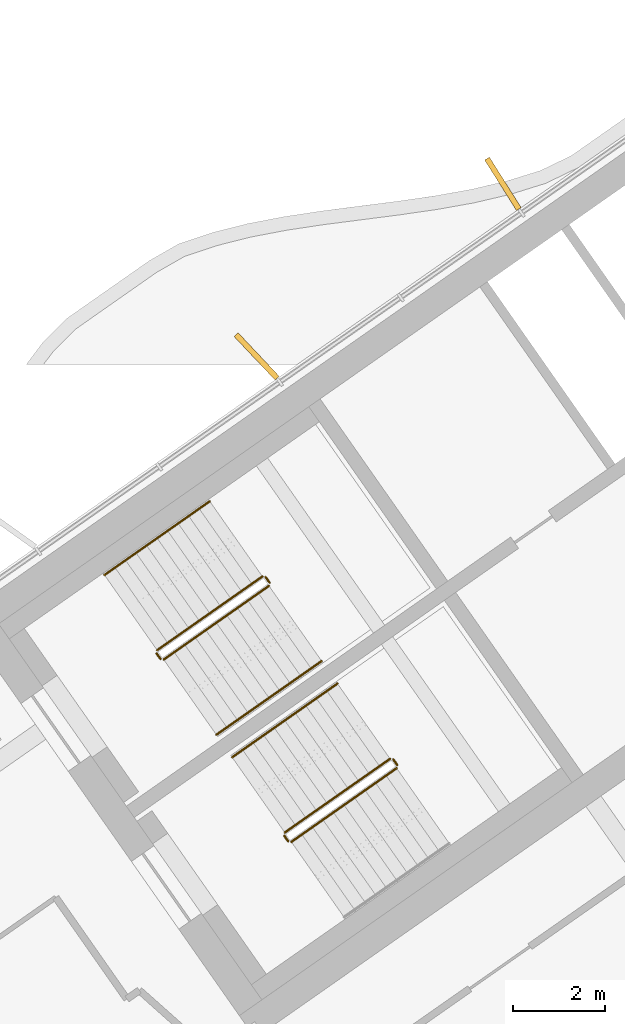
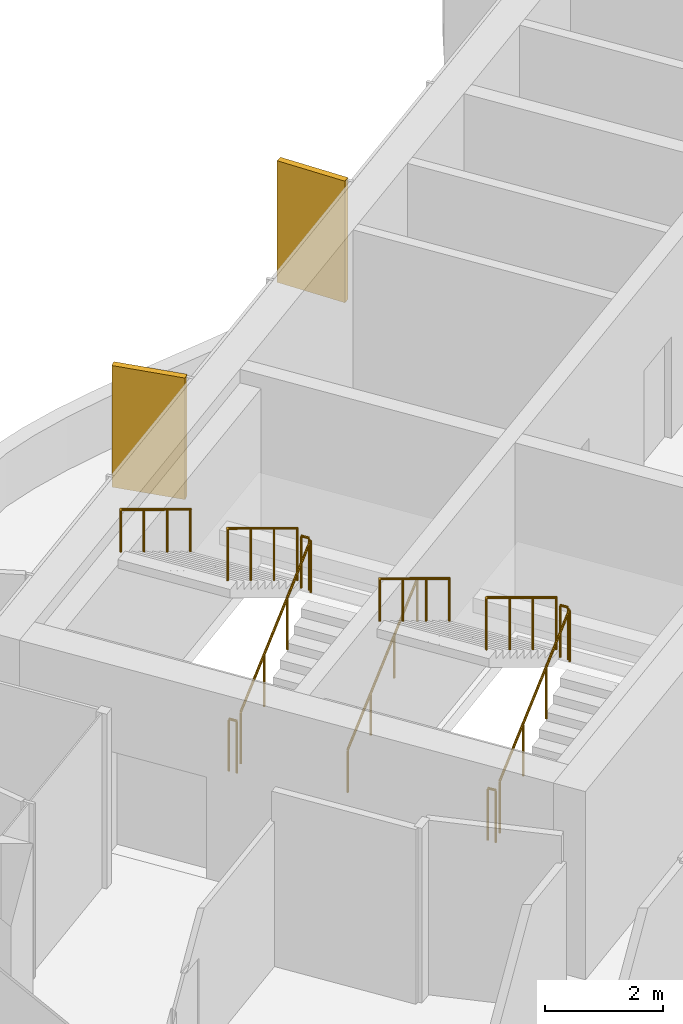
# One storey, part 15 of 18: 11 railings, 2 shading devices.
"""IFC4 building model written with IfcOpenShell, lengths in metres."""

from ifc_helpers import new_model, si_unit, direction, frame, origin, origin_2d, place, context, subcontext, project, spatial, rectangle, circle, extrude, material, layer, layer_set, type_object, element, save


model = new_model("IFC4")

# Units and contexts
model_context = context("Model", 3, precision=1e-05, world=origin(), true_north=direction((0.0, 1.0)))
body_context = subcontext(model_context, "Body", "Model", "MODEL_VIEW")
ifc_project = project(units=[si_unit("LENGTHUNIT", "METRE"), si_unit("AREAUNIT", "SQUARE_METRE"), si_unit("VOLUMEUNIT", "CUBIC_METRE"), si_unit("PLANEANGLEUNIT", "RADIAN"), si_unit("MASSUNIT", "GRAM", prefix="KILO")], contexts=[model_context])

# Site, building, storey
site_placement = place(None, origin())
site = spatial("IfcSite", under=ifc_project, at=site_placement, CompositionType="ELEMENT")
building_placement = place(site_placement, origin())
building = spatial("IfcBuilding", under=site, at=building_placement, Name="Tel Ilan Convention Tower", CompositionType="ELEMENT")
storey_placement = place(building_placement, frame((0.0, 0.0, 256.60009765625)))
storey = spatial("IfcBuildingStorey", under=building, at=storey_placement, Name="L60", CompositionType="ELEMENT", Elevation=256.60009765625)

# Shading devices
ifc_material_1 = material(Name="Aluminium, bronze anodised", Category="aluminium")
ifc_layer = layer(ifc_material_1, 0.1201171875)
ifc_layer_set = layer_set([ifc_layer], Name="FIN BRONZE 1300x120")
shading_device_type = type_object("IfcShadingDeviceType", Name="FIN BRONZE 1300x120", PredefinedType="USERDEFINED", material=ifc_layer_set)
for number, where, z_axis, x_axis, name in (
    (1, (-16.143798828125, 2.309814453125, 1.099853515625), (0.0, 0.0, 1.0), (-0.533204432798, 0.845986425922, 0.0), "FIN"),
    (2, (-21.51171875, -1.449462890625, 1.099853515625), (0.0, 0.0, 1.0), (-0.686241637865, 0.727373641577, 0.0), "FIN"),
):
    element("IfcShadingDevice", number, at=place(storey_placement, frame(where, z_axis=z_axis, x_axis=x_axis)), inside=storey, type_object=shading_device_type, Name=name, ObjectType="FIN", PredefinedType="USERDEFINED", context=body_context, shape_type="SweptSolid", body=[
        extrude(rectangle(XDim=1.300048828125, YDim=0.1201171875, at=origin_2d()), origin(), (0.0, 0.0, 1.0), 2.52001953125),
    ])

# Railings
ifc_material_2 = material(Name="Stainless Steel Grade 316", Category="steel")
railing_type_1 = type_object("IfcRailingType", Name="Stainless Steel Stair Guard 1100 mm", PredefinedType="GUARDRAIL", material=ifc_material_2)
railing_1_placement = place(storey_placement, frame((-23.535400390625, -8.056396484375, 0.17724609375)))
element("IfcRailing", 3, at=railing_1_placement, inside=storey, type_object=railing_type_1, Name="L60 S1 stair guard 1", PredefinedType="GUARDRAIL", context=body_context, shape_type="SweptSolid", body=[
    extrude(circle(Radius=0.02392578125, at=origin_2d()), frame((0.0, 0.0, 1.076171875), z_axis=(0.692098378994, 0.484653031975, 0.534893701956), x_axis=(-0.573608623498, 0.819129505664, 0.0)), (0.0, 0.0, 1.0), 3.314208984375),
    extrude(circle(Radius=0.02099609375, at=origin_2d()), origin(), (0.0, 0.0, 1.0), 1.052001953125),
    extrude(circle(Radius=0.02099609375, at=origin_2d()), frame((0.7646484375, 0.535400390625, 0.5908203125)), (0.0, 0.0, 1.0), 1.052001953125),
    extrude(circle(Radius=0.02099609375, at=origin_2d()), frame((1.529052734375, 1.07080078125, 1.181884765625)), (0.0, 0.0, 1.0), 1.052001953125),
    extrude(circle(Radius=0.02099609375, at=origin_2d()), frame((2.293701171875, 1.606201171875, 1.772705078125)), (0.0, 0.0, 1.0), 1.052001953125),
])
railing_2_placement = place(storey_placement, frame((-21.2294921875, -6.380615234375, 1.949951171875)))
element("IfcRailing", 4, at=railing_2_placement, inside=storey, type_object=railing_type_1, Name="L60 S1 stair guard 2", PredefinedType="GUARDRAIL", context=body_context, shape_type="SweptSolid", body=[
    extrude(circle(Radius=0.02392578125, at=origin_2d()), frame((0.0, 0.0, 1.076171875), z_axis=(-0.573353020881, 0.819308436089, 0.0), x_axis=(-0.819308436089, -0.573353020881, 0.0)), (0.0, 0.0, 1.0), 0.14990234375),
    extrude(circle(Radius=0.02099609375, at=origin_2d()), origin(), (0.0, 0.0, 1.0), 1.052001953125),
    extrude(circle(Radius=0.02099609375, at=origin_2d()), frame((-0.0859375, 0.122802734375, 0.0)), (0.0, 0.0, 1.0), 1.052001953125),
])
railing_3_placement = place(storey_placement, frame((-21.38525390625, -6.24560546875, 2.127197265625)))
element("IfcRailing", 5, at=railing_3_placement, inside=storey, type_object=railing_type_1, Name="L60 S1 stair guard 3", PredefinedType="GUARDRAIL", context=body_context, shape_type="SweptSolid", body=[
    extrude(circle(Radius=0.02392578125, at=origin_2d()), frame((0.0, 0.0, 1.076171875), z_axis=(-0.692084706163, -0.484621375041, 0.534940073605), x_axis=(0.573591086599, -0.819141785879, 0.0)), (0.0, 0.0, 1.0), 3.313720703125),
    extrude(circle(Radius=0.02099609375, at=origin_2d()), origin(), (0.0, 0.0, 1.0), 1.052001953125),
    extrude(circle(Radius=0.02099609375, at=origin_2d()), frame((-0.764404296875, -0.535400390625, 0.5908203125)), (0.0, 0.0, 1.0), 1.052001953125),
    extrude(circle(Radius=0.02099609375, at=origin_2d()), frame((-1.529052734375, -1.070556640625, 1.181884765625)), (0.0, 0.0, 1.0), 1.052001953125),
    extrude(circle(Radius=0.02099609375, at=origin_2d()), frame((-2.29345703125, -1.60595703125, 1.772705078125)), (0.0, 0.0, 1.0), 1.052001953125),
])
railing_4_placement = place(storey_placement, frame((-23.60498046875, -8.0439453125, 0.0)))
element("IfcRailing", 6, at=railing_4_placement, inside=storey, type_object=railing_type_1, Name="L60 S1 stair guard 4", PredefinedType="GUARDRAIL", context=body_context, shape_type="SweptSolid", body=[
    extrude(circle(Radius=0.02392578125, at=origin_2d()), frame((0.0, 0.0, 1.076171875), z_axis=(-0.574444878118, 0.818543268254, 0.0), x_axis=(-0.818543268254, -0.574444878118, 0.0)), (0.0, 0.0, 1.0), 0.150146484375),
    extrude(circle(Radius=0.02099609375, at=origin_2d()), origin(), (0.0, 0.0, 1.0), 1.052001953125),
    extrude(circle(Radius=0.02099609375, at=origin_2d()), frame((-0.086181640625, 0.122802734375, 0.0)), (0.0, 0.0, 1.0), 1.052001953125),
])
railing_5_placement = place(storey_placement, frame((-20.753662109375, -12.029296875, 0.17724609375)))
element("IfcRailing", 7, at=railing_5_placement, inside=storey, type_object=railing_type_1, Name="L60 S2 stair guard 1", PredefinedType="GUARDRAIL", context=body_context, shape_type="SweptSolid", body=[
    extrude(circle(Radius=0.02392578125, at=origin_2d()), frame((0.0, 0.0, 1.076171875), z_axis=(0.692098378994, 0.484653031975, 0.534893701956), x_axis=(-0.573608623498, 0.819129505664, 0.0)), (0.0, 0.0, 1.0), 3.314208984375),
    extrude(circle(Radius=0.02099609375, at=origin_2d()), origin(), (0.0, 0.0, 1.0), 1.052001953125),
    extrude(circle(Radius=0.02099609375, at=origin_2d()), frame((0.7646484375, 0.535400390625, 0.5908203125)), (0.0, 0.0, 1.0), 1.052001953125),
    extrude(circle(Radius=0.02099609375, at=origin_2d()), frame((1.529052734375, 1.07080078125, 1.181884765625)), (0.0, 0.0, 1.0), 1.052001953125),
    extrude(circle(Radius=0.02099609375, at=origin_2d()), frame((2.293701171875, 1.606201171875, 1.772705078125)), (0.0, 0.0, 1.0), 1.052001953125),
])
railing_6_placement = place(storey_placement, frame((-18.44775390625, -10.353515625, 1.949951171875)))
element("IfcRailing", 8, at=railing_6_placement, inside=storey, type_object=railing_type_1, Name="L60 S2 stair guard 2", PredefinedType="GUARDRAIL", context=body_context, shape_type="SweptSolid", body=[
    extrude(circle(Radius=0.02392578125, at=origin_2d()), frame((0.0, 0.0, 1.076171875), z_axis=(-0.573353020881, 0.819308436089, 0.0), x_axis=(-0.819308436089, -0.573353020881, 0.0)), (0.0, 0.0, 1.0), 0.14990234375),
    extrude(circle(Radius=0.02099609375, at=origin_2d()), origin(), (0.0, 0.0, 1.0), 1.052001953125),
    extrude(circle(Radius=0.02099609375, at=origin_2d()), frame((-0.0859375, 0.122802734375, 0.0)), (0.0, 0.0, 1.0), 1.052001953125),
])
railing_7_placement = place(storey_placement, frame((-18.603271484375, -10.218505859375, 2.127197265625)))
element("IfcRailing", 9, at=railing_7_placement, inside=storey, type_object=railing_type_1, Name="L60 S2 stair guard 3", PredefinedType="GUARDRAIL", context=body_context, shape_type="SweptSolid", body=[
    extrude(circle(Radius=0.02392578125, at=origin_2d()), frame((0.0, 0.0, 1.076171875), z_axis=(-0.692123088272, -0.484596665743, 0.534912798717), x_axis=(0.573550118428, -0.819170471667, 0.0)), (0.0, 0.0, 1.0), 3.31396484375),
    extrude(circle(Radius=0.02099609375, at=origin_2d()), origin(), (0.0, 0.0, 1.0), 1.052001953125),
    extrude(circle(Radius=0.02099609375, at=origin_2d()), frame((-0.7646484375, -0.535400390625, 0.5908203125)), (0.0, 0.0, 1.0), 1.052001953125),
    extrude(circle(Radius=0.02099609375, at=origin_2d()), frame((-1.529052734375, -1.070556640625, 1.181884765625)), (0.0, 0.0, 1.0), 1.052001953125),
    extrude(circle(Radius=0.02099609375, at=origin_2d()), frame((-2.293701171875, -1.60595703125, 1.772705078125)), (0.0, 0.0, 1.0), 1.052001953125),
])
railing_8_placement = place(storey_placement, frame((-20.8232421875, -12.016845703125, 0.0)))
element("IfcRailing", 10, at=railing_8_placement, inside=storey, type_object=railing_type_1, Name="L60 S2 stair guard 4", PredefinedType="GUARDRAIL", context=body_context, shape_type="SweptSolid", body=[
    extrude(circle(Radius=0.02392578125, at=origin_2d()), frame((0.0, 0.0, 1.076171875), z_axis=(-0.573353020881, 0.819308436089, 0.0), x_axis=(-0.819308436089, -0.573353020881, 0.0)), (0.0, 0.0, 1.0), 0.14990234375),
    extrude(circle(Radius=0.02099609375, at=origin_2d()), origin(), (0.0, 0.0, 1.0), 1.052001953125),
    extrude(circle(Radius=0.02099609375, at=origin_2d()), frame((-0.0859375, 0.122802734375, 0.0)), (0.0, 0.0, 1.0), 1.052001953125),
])
ifc_material_3 = material(Name="Stainless Steel Grade 316", Category="steel")
railing_type_2 = type_object("IfcRailingType", Name="Stainless Steel Stair Handrail 900 mm", PredefinedType="HANDRAIL", material=ifc_material_3)
railing_9_placement = place(storey_placement, frame((-22.38818359375, -9.694580078125, 0.17724609375)))
element("IfcRailing", 11, at=railing_9_placement, inside=storey, type_object=railing_type_2, Name="L60 S1 stair handrail 1", PredefinedType="HANDRAIL", context=body_context, shape_type="SweptSolid", body=[
    extrude(circle(Radius=0.02392578125, at=origin_2d()), frame((0.0, 0.0, 0.8759765625), z_axis=(0.692084706163, 0.484621375041, 0.534940073605), x_axis=(-0.573591086599, 0.819141785879, 0.0)), (0.0, 0.0, 1.0), 3.313720703125),
    extrude(circle(Radius=0.02099609375, at=origin_2d()), origin(), (0.0, 0.0, 1.0), 0.851806640625),
    extrude(circle(Radius=0.02099609375, at=origin_2d()), frame((0.764404296875, 0.535400390625, 0.5908203125)), (0.0, 0.0, 1.0), 0.851806640625),
    extrude(circle(Radius=0.02099609375, at=origin_2d()), frame((1.529052734375, 1.070556640625, 1.181884765625)), (0.0, 0.0, 1.0), 0.851806640625),
    extrude(circle(Radius=0.02099609375, at=origin_2d()), frame((2.29345703125, 1.60595703125, 1.772705078125)), (0.0, 0.0, 1.0), 0.851806640625),
])
for number, where, name in (
    (12, (-22.5322265625, -4.607177734375, 2.127197265625), "L60 S1 stair handrail 2"),
    (13, (-19.75048828125, -8.580078125, 2.127197265625), "L60 S2 stair handrail 2"),
):
    element("IfcRailing", number, at=place(storey_placement, frame(where)), inside=storey, type_object=railing_type_2, Name=name, PredefinedType="HANDRAIL", context=body_context, shape_type="SweptSolid", body=[
        extrude(circle(Radius=0.02392578125, at=origin_2d()), frame((0.0, 0.0, 0.8759765625), z_axis=(-0.692123088272, -0.484596665743, 0.534912798717), x_axis=(0.573550118428, -0.819170471667, 0.0)), (0.0, 0.0, 1.0), 3.31396484375),
        extrude(circle(Radius=0.02099609375, at=origin_2d()), origin(), (0.0, 0.0, 1.0), 0.851806640625),
        extrude(circle(Radius=0.02099609375, at=origin_2d()), frame((-0.7646484375, -0.535400390625, 0.5908203125)), (0.0, 0.0, 1.0), 0.851806640625),
        extrude(circle(Radius=0.02099609375, at=origin_2d()), frame((-1.529052734375, -1.070556640625, 1.181884765625)), (0.0, 0.0, 1.0), 0.851806640625),
        extrude(circle(Radius=0.02099609375, at=origin_2d()), frame((-2.293701171875, -1.60595703125, 1.772705078125)), (0.0, 0.0, 1.0), 0.851806640625),
    ])

save(model, "model.ifc")
